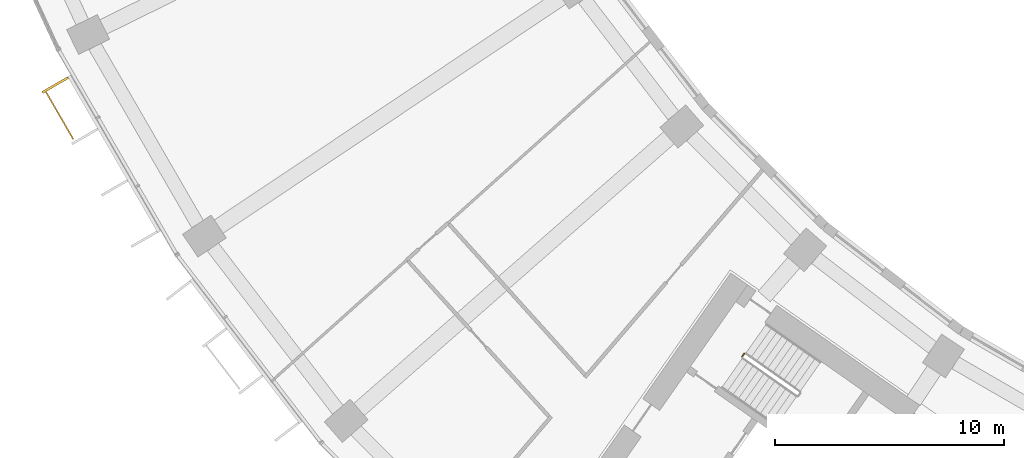
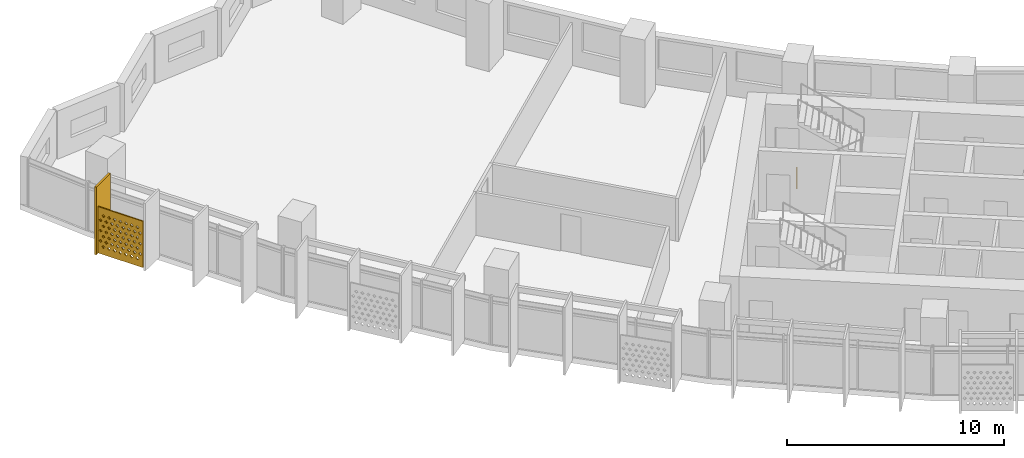
# One storey, part 25 of 28: 2 shading devices, 1 railing.
"""IFC4 building model written with IfcOpenShell, lengths in metres."""

from ifc_helpers import new_model, si_unit, direction, frame, origin, origin_2d, place, context, subcontext, project, spatial, polyline, rectangle, circle, outline, extrude, material, material_profile, profile_set, type_object, element, save


model = new_model("IFC4")

# Units and contexts
model_context = context("Model", 3, precision=1e-05, world=origin(), true_north=direction((0.0, 1.0)))
body_context = subcontext(model_context, "Body", "Model", "MODEL_VIEW")
ifc_project = project(units=[si_unit("LENGTHUNIT", "METRE"), si_unit("AREAUNIT", "SQUARE_METRE"), si_unit("VOLUMEUNIT", "CUBIC_METRE"), si_unit("PLANEANGLEUNIT", "RADIAN"), si_unit("MASSUNIT", "GRAM", prefix="KILO")], contexts=[model_context])

# Site, building, storey
site_placement = place(None, origin())
site = spatial("IfcSite", under=ifc_project, at=site_placement, CompositionType="ELEMENT")
building_placement = place(site_placement, origin())
building = spatial("IfcBuilding", under=site, at=building_placement, Name="Qamariyya Broadcast Tower", CompositionType="ELEMENT")
storey_placement = place(building_placement, frame((0.0, 0.0, 140.5)))
storey = spatial("IfcBuildingStorey", under=building, at=storey_placement, Name="L32", CompositionType="ELEMENT", Elevation=140.5)

# Shading device
ifc_material_1 = material(Name="Perforated glazed terracotta", Category="masonry")
ifc_material_profile_1 = material_profile(ifc_material_1, outline(polyline([(-1.199951171875, -1.300048828125), (1.199951171875, -1.300048828125), (1.199951171875, 1.300048828125), (-1.199951171875, 1.300048828125), (-1.199951171875, -1.300048828125)]), holes=[polyline([(-0.81494140625, -0.86669921875), (-0.89990234375, -0.78173828125), (-0.985107421875, -0.86669921875), (-0.89990234375, -0.95166015625), (-0.81494140625, -0.86669921875)]), polyline([(-0.514892578125, -0.86669921875), (-0.60009765625, -0.78173828125), (-0.68505859375, -0.86669921875), (-0.60009765625, -0.95166015625), (-0.514892578125, -0.86669921875)]), polyline([(-0.215087890625, -0.86669921875), (-0.300048828125, -0.78173828125), (-0.385009765625, -0.86669921875), (-0.300048828125, -0.95166015625), (-0.215087890625, -0.86669921875)]), polyline([(0.0849609375, -0.86669921875), (0.0, -0.78173828125), (-0.0849609375, -0.86669921875), (0.0, -0.95166015625), (0.0849609375, -0.86669921875)]), polyline([(0.385009765625, -0.86669921875), (0.300048828125, -0.78173828125), (0.215087890625, -0.86669921875), (0.300048828125, -0.95166015625), (0.385009765625, -0.86669921875)]), polyline([(0.68505859375, -0.86669921875), (0.60009765625, -0.78173828125), (0.514892578125, -0.86669921875), (0.60009765625, -0.95166015625), (0.68505859375, -0.86669921875)]), polyline([(0.985107421875, -0.86669921875), (0.89990234375, -0.78173828125), (0.81494140625, -0.86669921875), (0.89990234375, -0.95166015625), (0.985107421875, -0.86669921875)]), polyline([(-0.965087890625, -0.577880859375), (-1.050048828125, -0.49267578125), (-1.135009765625, -0.577880859375), (-1.050048828125, -0.662841796875), (-0.965087890625, -0.577880859375)]), polyline([(-0.6650390625, -0.577880859375), (-0.75, -0.49267578125), (-0.8349609375, -0.577880859375), (-0.75, -0.662841796875), (-0.6650390625, -0.577880859375)]), polyline([(-0.364990234375, -0.577880859375), (-0.449951171875, -0.49267578125), (-0.534912109375, -0.577880859375), (-0.449951171875, -0.662841796875), (-0.364990234375, -0.577880859375)]), polyline([(-0.06494140625, -0.577880859375), (-0.14990234375, -0.49267578125), (-0.235107421875, -0.577880859375), (-0.14990234375, -0.662841796875), (-0.06494140625, -0.577880859375)]), polyline([(0.235107421875, -0.577880859375), (0.14990234375, -0.49267578125), (0.06494140625, -0.577880859375), (0.14990234375, -0.662841796875), (0.235107421875, -0.577880859375)]), polyline([(0.534912109375, -0.577880859375), (0.449951171875, -0.49267578125), (0.364990234375, -0.577880859375), (0.449951171875, -0.662841796875), (0.534912109375, -0.577880859375)]), polyline([(0.8349609375, -0.577880859375), (0.75, -0.49267578125), (0.6650390625, -0.577880859375), (0.75, -0.662841796875), (0.8349609375, -0.577880859375)]), polyline([(1.135009765625, -0.577880859375), (1.050048828125, -0.49267578125), (0.965087890625, -0.577880859375), (1.050048828125, -0.662841796875), (1.135009765625, -0.577880859375)]), polyline([(-0.81494140625, -0.288818359375), (-0.89990234375, -0.203857421875), (-0.985107421875, -0.288818359375), (-0.89990234375, -0.373779296875), (-0.81494140625, -0.288818359375)]), polyline([(-0.514892578125, -0.288818359375), (-0.60009765625, -0.203857421875), (-0.68505859375, -0.288818359375), (-0.60009765625, -0.373779296875), (-0.514892578125, -0.288818359375)]), polyline([(-0.215087890625, -0.288818359375), (-0.300048828125, -0.203857421875), (-0.385009765625, -0.288818359375), (-0.300048828125, -0.373779296875), (-0.215087890625, -0.288818359375)]), polyline([(0.0849609375, -0.288818359375), (0.0, -0.203857421875), (-0.0849609375, -0.288818359375), (0.0, -0.373779296875), (0.0849609375, -0.288818359375)]), polyline([(0.385009765625, -0.288818359375), (0.300048828125, -0.203857421875), (0.215087890625, -0.288818359375), (0.300048828125, -0.373779296875), (0.385009765625, -0.288818359375)]), polyline([(0.68505859375, -0.288818359375), (0.60009765625, -0.203857421875), (0.514892578125, -0.288818359375), (0.60009765625, -0.373779296875), (0.68505859375, -0.288818359375)]), polyline([(0.985107421875, -0.288818359375), (0.89990234375, -0.203857421875), (0.81494140625, -0.288818359375), (0.89990234375, -0.373779296875), (0.985107421875, -0.288818359375)]), polyline([(-0.965087890625, 0.0), (-1.050048828125, 0.0849609375), (-1.135009765625, 0.0), (-1.050048828125, -0.0849609375), (-0.965087890625, 0.0)]), polyline([(-0.6650390625, 0.0), (-0.75, 0.0849609375), (-0.8349609375, 0.0), (-0.75, -0.0849609375), (-0.6650390625, 0.0)]), polyline([(-0.364990234375, 0.0), (-0.449951171875, 0.0849609375), (-0.534912109375, 0.0), (-0.449951171875, -0.0849609375), (-0.364990234375, 0.0)]), polyline([(-0.06494140625, 0.0), (-0.14990234375, 0.0849609375), (-0.235107421875, 0.0), (-0.14990234375, -0.0849609375), (-0.06494140625, 0.0)]), polyline([(0.235107421875, 0.0), (0.14990234375, 0.0849609375), (0.06494140625, 0.0), (0.14990234375, -0.0849609375), (0.235107421875, 0.0)]), polyline([(0.534912109375, 0.0), (0.449951171875, 0.0849609375), (0.364990234375, 0.0), (0.449951171875, -0.0849609375), (0.534912109375, 0.0)]), polyline([(0.8349609375, 0.0), (0.75, 0.0849609375), (0.6650390625, 0.0), (0.75, -0.0849609375), (0.8349609375, 0.0)]), polyline([(1.135009765625, 0.0), (1.050048828125, 0.0849609375), (0.965087890625, 0.0), (1.050048828125, -0.0849609375), (1.135009765625, 0.0)]), polyline([(-0.81494140625, 0.288818359375), (-0.89990234375, 0.373779296875), (-0.985107421875, 0.288818359375), (-0.89990234375, 0.203857421875), (-0.81494140625, 0.288818359375)]), polyline([(-0.514892578125, 0.288818359375), (-0.60009765625, 0.373779296875), (-0.68505859375, 0.288818359375), (-0.60009765625, 0.203857421875), (-0.514892578125, 0.288818359375)]), polyline([(-0.215087890625, 0.288818359375), (-0.300048828125, 0.373779296875), (-0.385009765625, 0.288818359375), (-0.300048828125, 0.203857421875), (-0.215087890625, 0.288818359375)]), polyline([(0.0849609375, 0.288818359375), (0.0, 0.373779296875), (-0.0849609375, 0.288818359375), (0.0, 0.203857421875), (0.0849609375, 0.288818359375)]), polyline([(0.385009765625, 0.288818359375), (0.300048828125, 0.373779296875), (0.215087890625, 0.288818359375), (0.300048828125, 0.203857421875), (0.385009765625, 0.288818359375)]), polyline([(0.68505859375, 0.288818359375), (0.60009765625, 0.373779296875), (0.514892578125, 0.288818359375), (0.60009765625, 0.203857421875), (0.68505859375, 0.288818359375)]), polyline([(0.985107421875, 0.288818359375), (0.89990234375, 0.373779296875), (0.81494140625, 0.288818359375), (0.89990234375, 0.203857421875), (0.985107421875, 0.288818359375)]), polyline([(-0.965087890625, 0.577880859375), (-1.050048828125, 0.662841796875), (-1.135009765625, 0.577880859375), (-1.050048828125, 0.49267578125), (-0.965087890625, 0.577880859375)]), polyline([(-0.6650390625, 0.577880859375), (-0.75, 0.662841796875), (-0.8349609375, 0.577880859375), (-0.75, 0.49267578125), (-0.6650390625, 0.577880859375)]), polyline([(-0.364990234375, 0.577880859375), (-0.449951171875, 0.662841796875), (-0.534912109375, 0.577880859375), (-0.449951171875, 0.49267578125), (-0.364990234375, 0.577880859375)]), polyline([(-0.06494140625, 0.577880859375), (-0.14990234375, 0.662841796875), (-0.235107421875, 0.577880859375), (-0.14990234375, 0.49267578125), (-0.06494140625, 0.577880859375)]), polyline([(0.235107421875, 0.577880859375), (0.14990234375, 0.662841796875), (0.06494140625, 0.577880859375), (0.14990234375, 0.49267578125), (0.235107421875, 0.577880859375)]), polyline([(0.534912109375, 0.577880859375), (0.449951171875, 0.662841796875), (0.364990234375, 0.577880859375), (0.449951171875, 0.49267578125), (0.534912109375, 0.577880859375)]), polyline([(0.8349609375, 0.577880859375), (0.75, 0.662841796875), (0.6650390625, 0.577880859375), (0.75, 0.49267578125), (0.8349609375, 0.577880859375)]), polyline([(1.135009765625, 0.577880859375), (1.050048828125, 0.662841796875), (0.965087890625, 0.577880859375), (1.050048828125, 0.49267578125), (1.135009765625, 0.577880859375)]), polyline([(-0.81494140625, 0.86669921875), (-0.89990234375, 0.95166015625), (-0.985107421875, 0.86669921875), (-0.89990234375, 0.78173828125), (-0.81494140625, 0.86669921875)]), polyline([(-0.514892578125, 0.86669921875), (-0.60009765625, 0.95166015625), (-0.68505859375, 0.86669921875), (-0.60009765625, 0.78173828125), (-0.514892578125, 0.86669921875)]), polyline([(-0.215087890625, 0.86669921875), (-0.300048828125, 0.95166015625), (-0.385009765625, 0.86669921875), (-0.300048828125, 0.78173828125), (-0.215087890625, 0.86669921875)]), polyline([(0.0849609375, 0.86669921875), (0.0, 0.95166015625), (-0.0849609375, 0.86669921875), (0.0, 0.78173828125), (0.0849609375, 0.86669921875)]), polyline([(0.385009765625, 0.86669921875), (0.300048828125, 0.95166015625), (0.215087890625, 0.86669921875), (0.300048828125, 0.78173828125), (0.385009765625, 0.86669921875)]), polyline([(0.68505859375, 0.86669921875), (0.60009765625, 0.95166015625), (0.514892578125, 0.86669921875), (0.60009765625, 0.78173828125), (0.68505859375, 0.86669921875)]), polyline([(0.985107421875, 0.86669921875), (0.89990234375, 0.95166015625), (0.81494140625, 0.86669921875), (0.89990234375, 0.78173828125), (0.985107421875, 0.86669921875)])]))
ifc_profile_set_1 = profile_set([ifc_material_profile_1], Name="Perforated glazed terracotta")
shading_device_type_1 = type_object("IfcShadingDeviceType", Name="Perforated terracotta screen 2400 x 2600", PredefinedType="USERDEFINED", material=ifc_profile_set_1)
shading_device_1_placement = place(storey_placement, frame((-70.948486328125, -37.913818359375, 1.35009765625), z_axis=(-0.865982457891, -0.500074377092, 0.0), x_axis=(0.500074377092, -0.865982457891, 0.0)))
element("IfcShadingDevice", 1, at=shading_device_1_placement, inside=storey, type_object=shading_device_type_1, Name="e-scr-L32-01-0", ObjectType="SCREEN", PredefinedType="USERDEFINED", context=body_context, shape_type="SweptSolid", body=[
    extrude(outline(polyline([(-1.199951171875, -1.300048828125), (1.199951171875, -1.300048828125), (1.199951171875, 1.300048828125), (-1.199951171875, 1.300048828125), (-1.199951171875, -1.300048828125)]), holes=[polyline([(-0.81494140625, -0.86669921875), (-0.89990234375, -0.78173828125), (-0.985107421875, -0.86669921875), (-0.89990234375, -0.95166015625), (-0.81494140625, -0.86669921875)]), polyline([(-0.514892578125, -0.86669921875), (-0.60009765625, -0.78173828125), (-0.68505859375, -0.86669921875), (-0.60009765625, -0.95166015625), (-0.514892578125, -0.86669921875)]), polyline([(-0.215087890625, -0.86669921875), (-0.300048828125, -0.78173828125), (-0.385009765625, -0.86669921875), (-0.300048828125, -0.95166015625), (-0.215087890625, -0.86669921875)]), polyline([(0.0849609375, -0.86669921875), (0.0, -0.78173828125), (-0.0849609375, -0.86669921875), (0.0, -0.95166015625), (0.0849609375, -0.86669921875)]), polyline([(0.385009765625, -0.86669921875), (0.300048828125, -0.78173828125), (0.215087890625, -0.86669921875), (0.300048828125, -0.95166015625), (0.385009765625, -0.86669921875)]), polyline([(0.68505859375, -0.86669921875), (0.60009765625, -0.78173828125), (0.514892578125, -0.86669921875), (0.60009765625, -0.95166015625), (0.68505859375, -0.86669921875)]), polyline([(0.985107421875, -0.86669921875), (0.89990234375, -0.78173828125), (0.81494140625, -0.86669921875), (0.89990234375, -0.95166015625), (0.985107421875, -0.86669921875)]), polyline([(-0.965087890625, -0.577880859375), (-1.050048828125, -0.49267578125), (-1.135009765625, -0.577880859375), (-1.050048828125, -0.662841796875), (-0.965087890625, -0.577880859375)]), polyline([(-0.6650390625, -0.577880859375), (-0.75, -0.49267578125), (-0.8349609375, -0.577880859375), (-0.75, -0.662841796875), (-0.6650390625, -0.577880859375)]), polyline([(-0.364990234375, -0.577880859375), (-0.449951171875, -0.49267578125), (-0.534912109375, -0.577880859375), (-0.449951171875, -0.662841796875), (-0.364990234375, -0.577880859375)]), polyline([(-0.06494140625, -0.577880859375), (-0.14990234375, -0.49267578125), (-0.235107421875, -0.577880859375), (-0.14990234375, -0.662841796875), (-0.06494140625, -0.577880859375)]), polyline([(0.235107421875, -0.577880859375), (0.14990234375, -0.49267578125), (0.06494140625, -0.577880859375), (0.14990234375, -0.662841796875), (0.235107421875, -0.577880859375)]), polyline([(0.534912109375, -0.577880859375), (0.449951171875, -0.49267578125), (0.364990234375, -0.577880859375), (0.449951171875, -0.662841796875), (0.534912109375, -0.577880859375)]), polyline([(0.8349609375, -0.577880859375), (0.75, -0.49267578125), (0.6650390625, -0.577880859375), (0.75, -0.662841796875), (0.8349609375, -0.577880859375)]), polyline([(1.135009765625, -0.577880859375), (1.050048828125, -0.49267578125), (0.965087890625, -0.577880859375), (1.050048828125, -0.662841796875), (1.135009765625, -0.577880859375)]), polyline([(-0.81494140625, -0.288818359375), (-0.89990234375, -0.203857421875), (-0.985107421875, -0.288818359375), (-0.89990234375, -0.373779296875), (-0.81494140625, -0.288818359375)]), polyline([(-0.514892578125, -0.288818359375), (-0.60009765625, -0.203857421875), (-0.68505859375, -0.288818359375), (-0.60009765625, -0.373779296875), (-0.514892578125, -0.288818359375)]), polyline([(-0.215087890625, -0.288818359375), (-0.300048828125, -0.203857421875), (-0.385009765625, -0.288818359375), (-0.300048828125, -0.373779296875), (-0.215087890625, -0.288818359375)]), polyline([(0.0849609375, -0.288818359375), (0.0, -0.203857421875), (-0.0849609375, -0.288818359375), (0.0, -0.373779296875), (0.0849609375, -0.288818359375)]), polyline([(0.385009765625, -0.288818359375), (0.300048828125, -0.203857421875), (0.215087890625, -0.288818359375), (0.300048828125, -0.373779296875), (0.385009765625, -0.288818359375)]), polyline([(0.68505859375, -0.288818359375), (0.60009765625, -0.203857421875), (0.514892578125, -0.288818359375), (0.60009765625, -0.373779296875), (0.68505859375, -0.288818359375)]), polyline([(0.985107421875, -0.288818359375), (0.89990234375, -0.203857421875), (0.81494140625, -0.288818359375), (0.89990234375, -0.373779296875), (0.985107421875, -0.288818359375)]), polyline([(-0.965087890625, 0.0), (-1.050048828125, 0.0849609375), (-1.135009765625, 0.0), (-1.050048828125, -0.0849609375), (-0.965087890625, 0.0)]), polyline([(-0.6650390625, 0.0), (-0.75, 0.0849609375), (-0.8349609375, 0.0), (-0.75, -0.0849609375), (-0.6650390625, 0.0)]), polyline([(-0.364990234375, 0.0), (-0.449951171875, 0.0849609375), (-0.534912109375, 0.0), (-0.449951171875, -0.0849609375), (-0.364990234375, 0.0)]), polyline([(-0.06494140625, 0.0), (-0.14990234375, 0.0849609375), (-0.235107421875, 0.0), (-0.14990234375, -0.0849609375), (-0.06494140625, 0.0)]), polyline([(0.235107421875, 0.0), (0.14990234375, 0.0849609375), (0.06494140625, 0.0), (0.14990234375, -0.0849609375), (0.235107421875, 0.0)]), polyline([(0.534912109375, 0.0), (0.449951171875, 0.0849609375), (0.364990234375, 0.0), (0.449951171875, -0.0849609375), (0.534912109375, 0.0)]), polyline([(0.8349609375, 0.0), (0.75, 0.0849609375), (0.6650390625, 0.0), (0.75, -0.0849609375), (0.8349609375, 0.0)]), polyline([(1.135009765625, 0.0), (1.050048828125, 0.0849609375), (0.965087890625, 0.0), (1.050048828125, -0.0849609375), (1.135009765625, 0.0)]), polyline([(-0.81494140625, 0.288818359375), (-0.89990234375, 0.373779296875), (-0.985107421875, 0.288818359375), (-0.89990234375, 0.203857421875), (-0.81494140625, 0.288818359375)]), polyline([(-0.514892578125, 0.288818359375), (-0.60009765625, 0.373779296875), (-0.68505859375, 0.288818359375), (-0.60009765625, 0.203857421875), (-0.514892578125, 0.288818359375)]), polyline([(-0.215087890625, 0.288818359375), (-0.300048828125, 0.373779296875), (-0.385009765625, 0.288818359375), (-0.300048828125, 0.203857421875), (-0.215087890625, 0.288818359375)]), polyline([(0.0849609375, 0.288818359375), (0.0, 0.373779296875), (-0.0849609375, 0.288818359375), (0.0, 0.203857421875), (0.0849609375, 0.288818359375)]), polyline([(0.385009765625, 0.288818359375), (0.300048828125, 0.373779296875), (0.215087890625, 0.288818359375), (0.300048828125, 0.203857421875), (0.385009765625, 0.288818359375)]), polyline([(0.68505859375, 0.288818359375), (0.60009765625, 0.373779296875), (0.514892578125, 0.288818359375), (0.60009765625, 0.203857421875), (0.68505859375, 0.288818359375)]), polyline([(0.985107421875, 0.288818359375), (0.89990234375, 0.373779296875), (0.81494140625, 0.288818359375), (0.89990234375, 0.203857421875), (0.985107421875, 0.288818359375)]), polyline([(-0.965087890625, 0.577880859375), (-1.050048828125, 0.662841796875), (-1.135009765625, 0.577880859375), (-1.050048828125, 0.49267578125), (-0.965087890625, 0.577880859375)]), polyline([(-0.6650390625, 0.577880859375), (-0.75, 0.662841796875), (-0.8349609375, 0.577880859375), (-0.75, 0.49267578125), (-0.6650390625, 0.577880859375)]), polyline([(-0.364990234375, 0.577880859375), (-0.449951171875, 0.662841796875), (-0.534912109375, 0.577880859375), (-0.449951171875, 0.49267578125), (-0.364990234375, 0.577880859375)]), polyline([(-0.06494140625, 0.577880859375), (-0.14990234375, 0.662841796875), (-0.235107421875, 0.577880859375), (-0.14990234375, 0.49267578125), (-0.06494140625, 0.577880859375)]), polyline([(0.235107421875, 0.577880859375), (0.14990234375, 0.662841796875), (0.06494140625, 0.577880859375), (0.14990234375, 0.49267578125), (0.235107421875, 0.577880859375)]), polyline([(0.534912109375, 0.577880859375), (0.449951171875, 0.662841796875), (0.364990234375, 0.577880859375), (0.449951171875, 0.49267578125), (0.534912109375, 0.577880859375)]), polyline([(0.8349609375, 0.577880859375), (0.75, 0.662841796875), (0.6650390625, 0.577880859375), (0.75, 0.49267578125), (0.8349609375, 0.577880859375)]), polyline([(1.135009765625, 0.577880859375), (1.050048828125, 0.662841796875), (0.965087890625, 0.577880859375), (1.050048828125, 0.49267578125), (1.135009765625, 0.577880859375)]), polyline([(-0.81494140625, 0.86669921875), (-0.89990234375, 0.95166015625), (-0.985107421875, 0.86669921875), (-0.89990234375, 0.78173828125), (-0.81494140625, 0.86669921875)]), polyline([(-0.514892578125, 0.86669921875), (-0.60009765625, 0.95166015625), (-0.68505859375, 0.86669921875), (-0.60009765625, 0.78173828125), (-0.514892578125, 0.86669921875)]), polyline([(-0.215087890625, 0.86669921875), (-0.300048828125, 0.95166015625), (-0.385009765625, 0.86669921875), (-0.300048828125, 0.78173828125), (-0.215087890625, 0.86669921875)]), polyline([(0.0849609375, 0.86669921875), (0.0, 0.95166015625), (-0.0849609375, 0.86669921875), (0.0, 0.78173828125), (0.0849609375, 0.86669921875)]), polyline([(0.385009765625, 0.86669921875), (0.300048828125, 0.95166015625), (0.215087890625, 0.86669921875), (0.300048828125, 0.78173828125), (0.385009765625, 0.86669921875)]), polyline([(0.68505859375, 0.86669921875), (0.60009765625, 0.95166015625), (0.514892578125, 0.86669921875), (0.60009765625, 0.78173828125), (0.68505859375, 0.86669921875)]), polyline([(0.985107421875, 0.86669921875), (0.89990234375, 0.95166015625), (0.81494140625, 0.86669921875), (0.89990234375, 0.78173828125), (0.985107421875, 0.86669921875)])]), origin(), (0.0, 0.0, 1.0), 0.06005859375),
])

# Railing
ifc_material_2 = material(Name="Painted steel", Category="steel")
railing_type = type_object("IfcRailingType", Name="Stair guard", PredefinedType="GUARDRAIL", material=ifc_material_2)
railing_placement = place(storey_placement, frame((-41.158935546875, -48.455322265625, 0.0)))
element("IfcRailing", 2, at=railing_placement, inside=storey, type_object=railing_type, Name="L32 ST-W2 stair guard 3", PredefinedType="GUARDRAIL", context=body_context, shape_type="SweptSolid", body=[
    extrude(circle(Radius=0.02392578125, at=origin_2d()), frame((0.0, 0.0, 1.076171875), z_axis=(0.572588637393, 0.819842821722, 0.0), x_axis=(-0.819842821722, 0.572588637393, 0.0)), (0.0, 0.0, 1.0), 0.150146484375),
    extrude(circle(Radius=0.02099609375, at=origin_2d()), origin(), (0.0, 0.0, 1.0), 1.052001953125),
    extrude(circle(Radius=0.02099609375, at=origin_2d()), frame((0.0859375, 0.123046875, 0.0)), (0.0, 0.0, 1.0), 1.052001953125),
])

# Shading device
ifc_material_3 = material(Name="Glazed terracotta", Category="masonry")
ifc_material_profile_2 = material_profile(ifc_material_3, rectangle(XDim=1.300048828125, YDim=0.10009765625, at=origin_2d()))
ifc_profile_set_2 = profile_set([ifc_material_profile_2], Name="Glazed terracotta")
shading_device_type_2 = type_object("IfcShadingDeviceType", Name="Terracotta fin 100 x 1300", PredefinedType="USERDEFINED", material=ifc_profile_set_2)
shading_device_2_placement = place(storey_placement, frame((-71.16650390625, -36.596435546875, 0.0), z_axis=(0.0, 0.0, 1.0), x_axis=(-0.866025403784, -0.5, 0.0)))
element("IfcShadingDevice", 3, at=shading_device_2_placement, inside=storey, type_object=shading_device_type_2, Name="e-fin-L32-01-0", ObjectType="FIN", PredefinedType="USERDEFINED", context=body_context, shape_type="SweptSolid", body=[
    extrude(rectangle(XDim=1.300048828125, YDim=0.10009765625, at=origin_2d()), origin(), (0.0, 0.0, 1.0), 3.800048828125),
])

save(model, "model.ifc")
